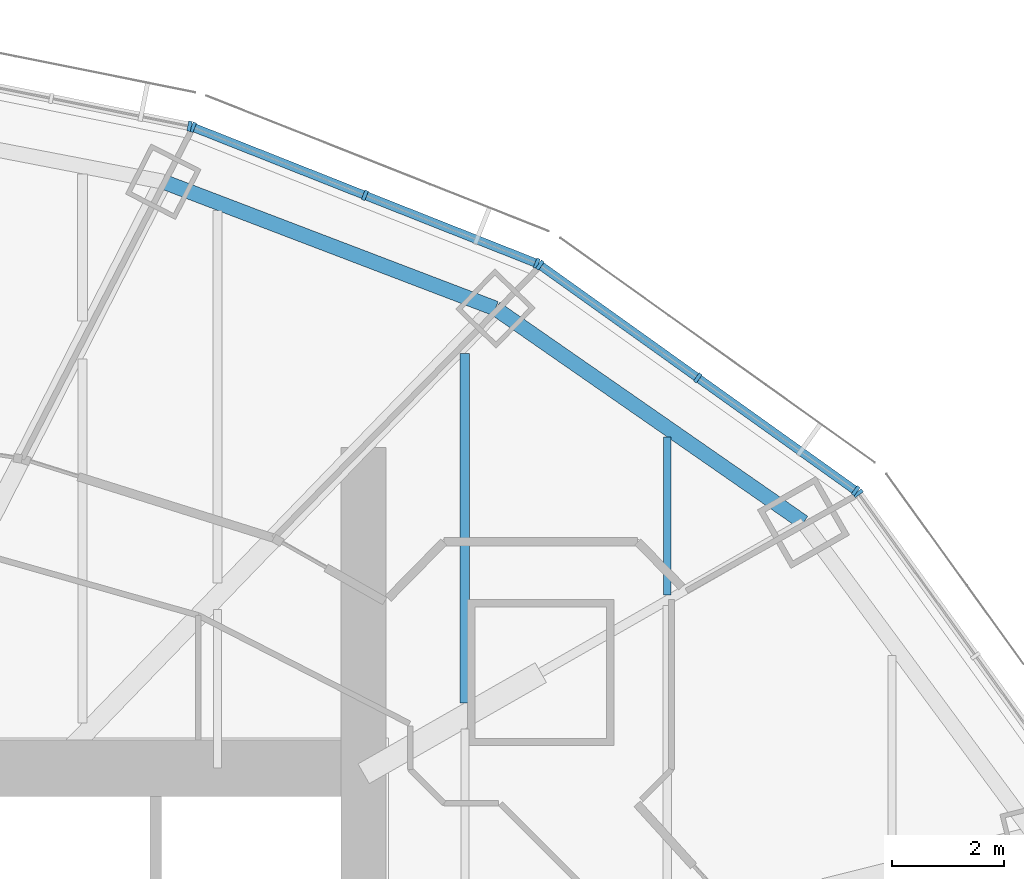
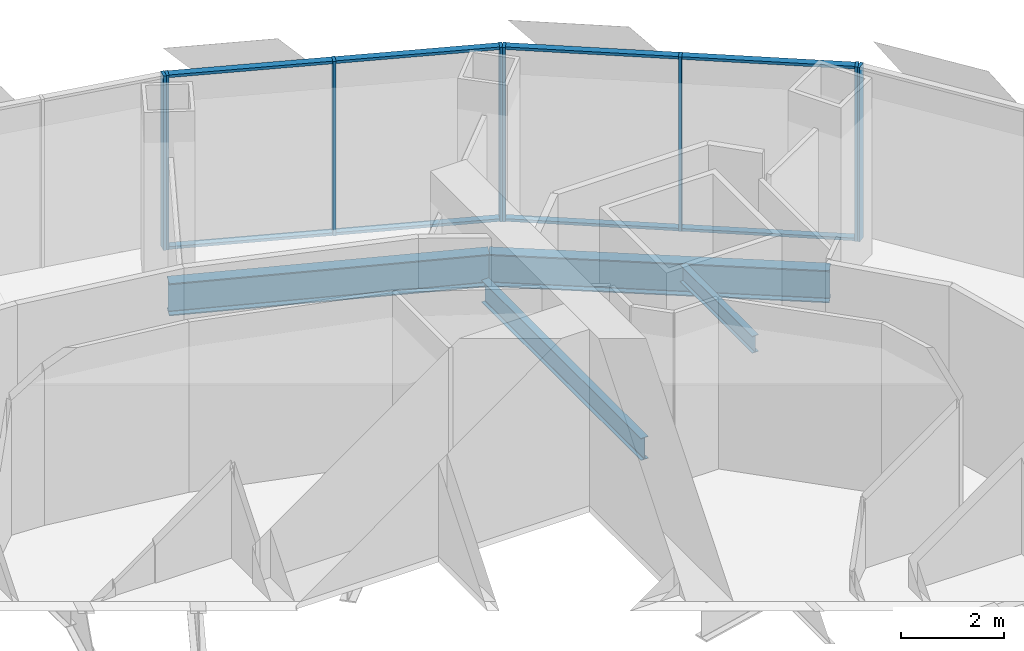
# One storey, part 9 of 18: 16 members, 4 beams, 4 elements without a shape of their own.
"""IFC4 building model written with IfcOpenShell, lengths in metres."""

from ifc_helpers import new_model, si_unit, direction, frame, origin, origin_2d, place, context, subcontext, project, spatial, rectangle, i_section, extrude, material, material_profile, profile_set, type_object, element, aggregate, save


model = new_model("IFC4")

# Units and contexts
model_context = context("Model", 3, precision=1e-05, world=origin(), true_north=direction((0.0, 1.0)))
body_context = subcontext(model_context, "Body", "Model", "MODEL_VIEW")
ifc_project = project(units=[si_unit("LENGTHUNIT", "METRE"), si_unit("AREAUNIT", "SQUARE_METRE"), si_unit("VOLUMEUNIT", "CUBIC_METRE"), si_unit("PLANEANGLEUNIT", "RADIAN"), si_unit("MASSUNIT", "GRAM", prefix="KILO")], contexts=[model_context])

# Site, building, storey
site_placement = place(None, origin())
site = spatial("IfcSite", under=ifc_project, at=site_placement, CompositionType="ELEMENT")
building_placement = place(site_placement, origin())
building = spatial("IfcBuilding", under=site, at=building_placement, Name="Lantaw Convention Tower", CompositionType="ELEMENT")
storey_placement = place(building_placement, frame((0.0, 0.0, 228.39990234375)))
storey = spatial("IfcBuildingStorey", under=building, at=storey_placement, Name="L53", CompositionType="ELEMENT", Elevation=228.39990234375)

# Beams
ifc_material_1 = material(Name="Steel ASTM A992", Category="steel")
ifc_material_profile_1 = material_profile(ifc_material_1, i_section(OverallWidth=0.2666015625, OverallDepth=0.76953125, WebThickness=0.015625, FlangeThickness=0.025390625, FilletRadius=0.0126953125, at=origin_2d()), Name="W30X132")
ifc_profile_set_1 = profile_set([ifc_material_profile_1], Name="Steel ASTM A992")
beam_type_1 = type_object("IfcBeamType", Name="Beam E W30X132", PredefinedType="SPANDREL", material=ifc_profile_set_1)
beam_1_placement = place(storey_placement, frame((20.423095703125, 11.67041015625, -0.53466796875), z_axis=(-0.82135329406, 0.570419815869, 0.0), x_axis=(-0.570419815869, -0.82135329406, 0.0)))
element("IfcBeam", 1, at=beam_1_placement, inside=storey, type_object=beam_type_1, Name="Edge beam 3", PredefinedType="SPANDREL", context=body_context, shape_type="SweptSolid", body=[
    extrude(i_section(OverallWidth=0.2666015625, OverallDepth=0.76953125, WebThickness=0.015625, FlangeThickness=0.025390625, FilletRadius=0.0126953125, at=origin_2d()), origin(), (0.0, 0.0, 1.0), 6.67041015625),
])
beam_2_placement = place(storey_placement, frame((14.9443359375, 15.475341796875, -0.53466796875), z_axis=(-0.934234988, 0.356658081637, 0.0), x_axis=(-0.356658081637, -0.934234988, 0.0)))
element("IfcBeam", 2, at=beam_2_placement, inside=storey, type_object=beam_type_1, Name="Edge beam 4", PredefinedType="SPANDREL", context=body_context, shape_type="SweptSolid", body=[
    extrude(i_section(OverallWidth=0.2666015625, OverallDepth=0.76953125, WebThickness=0.015625, FlangeThickness=0.025390625, FilletRadius=0.0126953125, at=origin_2d()), origin(), (0.0, 0.0, 1.0), 6.32568359375),
])
ifc_material_profile_2 = material_profile(ifc_material_1, i_section(OverallWidth=0.140380859375, OverallDepth=0.40380859375, WebThickness=0.007080078125, FlangeThickness=0.01123046875, FilletRadius=0.01025390625, at=origin_2d()), Name="W16X31")
ifc_profile_set_2 = profile_set([ifc_material_profile_2], Name="Steel ASTM A992")
beam_type_2 = type_object("IfcBeamType", Name="Beam J W16X31", PredefinedType="JOIST", material=ifc_profile_set_2)
beam_3_placement = place(storey_placement, frame((18.0, 10.380859375, -0.351806640625), z_axis=(0.0, 1.0, 0.0), x_axis=(-1.0, 0.0, 0.0)))
element("IfcBeam", 3, at=beam_3_placement, inside=storey, type_object=beam_type_2, Name="Floor joist", PredefinedType="JOIST", context=body_context, shape_type="SweptSolid", body=[
    extrude(i_section(OverallWidth=0.140380859375, OverallDepth=0.40380859375, WebThickness=0.007080078125, FlangeThickness=0.01123046875, FilletRadius=0.01025390625, at=origin_2d()), origin(), (0.0, 0.0, 1.0), 2.81005859375),
])
ifc_material_profile_3 = material_profile(ifc_material_1, i_section(OverallWidth=0.1650390625, OverallDepth=0.52587890625, WebThickness=0.0087890625, FlangeThickness=0.011474609375, FilletRadius=0.0126953125, at=origin_2d()), Name="W21X44")
ifc_profile_set_3 = profile_set([ifc_material_profile_3], Name="Steel ASTM A992")
beam_type_3 = type_object("IfcBeamType", Name="Beam J W21X44", PredefinedType="JOIST", material=ifc_profile_set_3)
beam_4_placement = place(storey_placement, frame((14.39990234375, 8.461181640625, -0.412841796875), z_axis=(0.0, 1.0, 0.0), x_axis=(-1.0, 0.0, 0.0)))
element("IfcBeam", 4, at=beam_4_placement, inside=storey, type_object=beam_type_3, Name="Floor joist", PredefinedType="JOIST", context=body_context, shape_type="SweptSolid", body=[
    extrude(i_section(OverallWidth=0.1650390625, OverallDepth=0.52587890625, WebThickness=0.0087890625, FlangeThickness=0.011474609375, FilletRadius=0.0126953125, at=origin_2d()), origin(), (0.0, 0.0, 1.0), 6.214599609375),
])

# Curtain wall, member
ifc_material_2 = material(Name="Aluminium framed curtain wall", Category="aluminium")
curtain_wall_type = type_object("IfcCurtainWallType", Name="Office curtain wall high rise, pale aluminium", PredefinedType="USERDEFINED", material=ifc_material_2)
curtain_wall_1_placement = place(storey_placement, origin())
curtain_wall_1 = element("IfcCurtainWall", 5, at=curtain_wall_1_placement, inside=storey, type_object=curtain_wall_type, Name="Office curtain wall high rise, pale aluminium L53", ObjectType="UNITISED CURTAIN WALL", PredefinedType="USERDEFINED")
ifc_material_3 = material(Name="Aluminium 6063-T6", Category="aluminium")
ifc_material_profile_4 = material_profile(ifc_material_3, rectangle(XDim=0.179931640625, YDim=0.06494140625, at=origin_2d()), Name="CW-O2 mullion 65x180")
ifc_profile_set_4 = profile_set([ifc_material_profile_4], Name="Aluminium 6063-T6")
member_type_1 = type_object("IfcMemberType", Name="CW-O2 mullion 65x180", PredefinedType="MULLION", material=ifc_profile_set_4)
member_1_placement = place(storey_placement, frame((21.397216796875, 12.189697265625, -0.14990234375), z_axis=(0.0, 0.0, 1.0), x_axis=(-0.810919559405, -0.585157643865, 0.0)))
member_1 = element("IfcMember", 6, at=member_1_placement, type_object=member_type_1, Name="CW-O2 mullion 3", PredefinedType="MULLION", context=body_context, shape_type="SweptSolid", body=[
    extrude(rectangle(XDim=0.179931640625, YDim=0.06494140625, at=origin_2d()), origin(), (0.0, 0.0, 1.0), 4.14990234375),
])
aggregate(curtain_wall_1, [member_1])

# Curtain wall, members
curtain_wall_2_placement = place(storey_placement, origin())
curtain_wall_2 = element("IfcCurtainWall", 7, at=curtain_wall_2_placement, inside=storey, type_object=curtain_wall_type, Name="Office curtain wall high rise, pale aluminium L53", ObjectType="UNITISED CURTAIN WALL", PredefinedType="USERDEFINED")
member_2_placement = place(storey_placement, frame((21.3515625, 12.23486328125, -0.14990234375), z_axis=(0.0, 0.0, 1.0), x_axis=(-0.581323487281, -0.813672540482, 0.0)))
member_2 = element("IfcMember", 8, at=member_2_placement, type_object=member_type_1, Name="CW-O2 mullion 1", PredefinedType="MULLION", context=body_context, shape_type="SweptSolid", body=[
    extrude(rectangle(XDim=0.179931640625, YDim=0.06494140625, at=origin_2d()), origin(), (0.0, 0.0, 1.0), 4.14990234375),
])
member_3_placement = place(storey_placement, frame((18.543212890625, 14.241455078125, -0.14990234375), z_axis=(0.0, 0.0, 1.0), x_axis=(-0.581323487281, -0.813672540482, 0.0)))
member_3 = element("IfcMember", 9, at=member_3_placement, type_object=member_type_1, Name="CW-O2 mullion 2", PredefinedType="MULLION", context=body_context, shape_type="SweptSolid", body=[
    extrude(rectangle(XDim=0.179931640625, YDim=0.06494140625, at=origin_2d()), origin(), (0.0, 0.0, 1.0), 4.14990234375),
])
member_4_placement = place(storey_placement, frame((15.73486328125, 16.247802734375, -0.14990234375), z_axis=(0.0, 0.0, 1.0), x_axis=(-0.581323487281, -0.813672540482, 0.0)))
member_4 = element("IfcMember", 10, at=member_4_placement, type_object=member_type_1, Name="CW-O2 mullion 3", PredefinedType="MULLION", context=body_context, shape_type="SweptSolid", body=[
    extrude(rectangle(XDim=0.179931640625, YDim=0.06494140625, at=origin_2d()), origin(), (0.0, 0.0, 1.0), 4.14990234375),
])

curtain_wall_3_placement = place(storey_placement, origin())
curtain_wall_3 = element("IfcCurtainWall", 11, at=curtain_wall_3_placement, inside=storey, type_object=curtain_wall_type, Name="Office curtain wall high rise, pale aluminium L53", ObjectType="UNITISED CURTAIN WALL", PredefinedType="USERDEFINED")
member_5_placement = place(storey_placement, frame((15.67822265625, 16.278564453125, -0.14990234375), z_axis=(0.0, 0.0, 1.0), x_axis=(-0.368162315252, -0.929761533743, 0.0)))
member_5 = element("IfcMember", 12, at=member_5_placement, type_object=member_type_1, Name="CW-O2 mullion 1", PredefinedType="MULLION", context=body_context, shape_type="SweptSolid", body=[
    extrude(rectangle(XDim=0.179931640625, YDim=0.06494140625, at=origin_2d()), origin(), (0.0, 0.0, 1.0), 4.14990234375),
])
member_6_placement = place(storey_placement, frame((12.621337890625, 17.4892578125, -0.14990234375), z_axis=(0.0, 0.0, 1.0), x_axis=(-0.368162315252, -0.929761533743, 0.0)))
member_6 = element("IfcMember", 13, at=member_6_placement, type_object=member_type_1, Name="CW-O2 mullion 2", PredefinedType="MULLION", context=body_context, shape_type="SweptSolid", body=[
    extrude(rectangle(XDim=0.179931640625, YDim=0.06494140625, at=origin_2d()), origin(), (0.0, 0.0, 1.0), 4.14990234375),
])
member_7_placement = place(storey_placement, frame((9.564208984375, 18.69970703125, -0.14990234375), z_axis=(0.0, 0.0, 1.0), x_axis=(-0.368162315252, -0.929761533743, 0.0)))
member_7 = element("IfcMember", 14, at=member_7_placement, type_object=member_type_1, Name="CW-O2 mullion 3", PredefinedType="MULLION", context=body_context, shape_type="SweptSolid", body=[
    extrude(rectangle(XDim=0.179931640625, YDim=0.06494140625, at=origin_2d()), origin(), (0.0, 0.0, 1.0), 4.14990234375),
])

# Curtain wall, member
curtain_wall_4_placement = place(storey_placement, origin())
curtain_wall_4 = element("IfcCurtainWall", 15, at=curtain_wall_4_placement, inside=storey, type_object=curtain_wall_type, Name="Office curtain wall high rise, pale aluminium L53", ObjectType="UNITISED CURTAIN WALL", PredefinedType="USERDEFINED")
member_8_placement = place(storey_placement, frame((9.502197265625, 18.718017578125, -0.14990234375), z_axis=(0.0, 0.0, 1.0), x_axis=(-0.197183095987, -0.980366679695, 0.0)))
member_8 = element("IfcMember", 16, at=member_8_placement, type_object=member_type_1, Name="CW-O2 mullion 1", PredefinedType="MULLION", context=body_context, shape_type="SweptSolid", body=[
    extrude(rectangle(XDim=0.179931640625, YDim=0.06494140625, at=origin_2d()), origin(), (0.0, 0.0, 1.0), 4.14990234375),
])
aggregate(curtain_wall_4, [member_8])

# Member
ifc_material_profile_5 = material_profile(ifc_material_3, rectangle(XDim=0.14990234375, YDim=0.06494140625, at=origin_2d()), Name="CW-O2 transom 65x150")
ifc_profile_set_5 = profile_set([ifc_material_profile_5], Name="Aluminium 6063-T6")
member_type_2 = type_object("IfcMemberType", Name="CW-O2 transom 65x150", PredefinedType="USERDEFINED", material=ifc_profile_set_5)
member_9_placement = place(storey_placement, frame((21.3251953125, 12.25390625, -0.117431640625), z_axis=(-0.813679882592, 0.581313210468, 0.0), x_axis=(-0.581313210468, -0.813679882592, 0.0)))
member_9 = element("IfcMember", 17, at=member_9_placement, type_object=member_type_2, Name="CW-O2 transom 1.1", ObjectType="TRANSOM", PredefinedType="USERDEFINED", context=body_context, shape_type="SweptSolid", body=[
    extrude(rectangle(XDim=0.14990234375, YDim=0.06494140625, at=origin_2d()), origin(), (0.0, 0.0, 1.0), 3.38623046875),
])

member_10_placement = place(storey_placement, frame((21.3251953125, 12.25390625, 3.967529296875), z_axis=(-0.813679882592, 0.581313210468, 0.0), x_axis=(-0.581313210468, -0.813679882592, 0.0)))
member_10 = element("IfcMember", 18, at=member_10_placement, type_object=member_type_2, Name="CW-O2 transom 1.2", ObjectType="TRANSOM", PredefinedType="USERDEFINED", context=body_context, shape_type="SweptSolid", body=[
    extrude(rectangle(XDim=0.14990234375, YDim=0.06494140625, at=origin_2d()), origin(), (0.0, 0.0, 1.0), 3.38623046875),
])

member_11_placement = place(storey_placement, frame((18.516845703125, 14.26025390625, -0.117431640625), z_axis=(-0.813645780821, 0.581360940683, 0.0), x_axis=(-0.581360940683, -0.813645780821, 0.0)))
member_11 = element("IfcMember", 19, at=member_11_placement, type_object=member_type_2, Name="CW-O2 transom 2.1", ObjectType="TRANSOM", PredefinedType="USERDEFINED", context=body_context, shape_type="SweptSolid", body=[
    extrude(rectangle(XDim=0.14990234375, YDim=0.06494140625, at=origin_2d()), origin(), (0.0, 0.0, 1.0), 3.386474609375),
])

member_12_placement = place(storey_placement, frame((18.516845703125, 14.26025390625, 3.967529296875), z_axis=(-0.813645780821, 0.581360940683, 0.0), x_axis=(-0.581360940683, -0.813645780821, 0.0)))
member_12 = element("IfcMember", 20, at=member_12_placement, type_object=member_type_2, Name="CW-O2 transom 2.2", ObjectType="TRANSOM", PredefinedType="USERDEFINED", context=body_context, shape_type="SweptSolid", body=[
    extrude(rectangle(XDim=0.14990234375, YDim=0.06494140625, at=origin_2d()), origin(), (0.0, 0.0, 1.0), 3.386474609375),
])

aggregate(curtain_wall_2, [member_2, member_3, member_4, member_9, member_10, member_11, member_12])

member_13_placement = place(storey_placement, frame((15.648193359375, 16.29052734375, -0.117431640625), z_axis=(-0.929740712354, 0.368214893495, 0.0), x_axis=(-0.368214893495, -0.929740712354, 0.0)))
member_13 = element("IfcMember", 21, at=member_13_placement, type_object=member_type_2, Name="CW-O2 transom 1.1", ObjectType="TRANSOM", PredefinedType="USERDEFINED", context=body_context, shape_type="SweptSolid", body=[
    extrude(rectangle(XDim=0.14990234375, YDim=0.06494140625, at=origin_2d()), origin(), (0.0, 0.0, 1.0), 3.22314453125),
])

member_14_placement = place(storey_placement, frame((15.648193359375, 16.29052734375, 3.967529296875), z_axis=(-0.929740712354, 0.368214893495, 0.0), x_axis=(-0.368214893495, -0.929740712354, 0.0)))
member_14 = element("IfcMember", 22, at=member_14_placement, type_object=member_type_2, Name="CW-O2 transom 1.2", ObjectType="TRANSOM", PredefinedType="USERDEFINED", context=body_context, shape_type="SweptSolid", body=[
    extrude(rectangle(XDim=0.14990234375, YDim=0.06494140625, at=origin_2d()), origin(), (0.0, 0.0, 1.0), 3.22314453125),
])

member_15_placement = place(storey_placement, frame((12.591064453125, 17.501220703125, -0.117431640625), z_axis=(-0.929766642946, 0.368149412149, 0.0), x_axis=(-0.368149412149, -0.929766642946, 0.0)))
member_15 = element("IfcMember", 23, at=member_15_placement, type_object=member_type_2, Name="CW-O2 transom 2.1", ObjectType="TRANSOM", PredefinedType="USERDEFINED", context=body_context, shape_type="SweptSolid", body=[
    extrude(rectangle(XDim=0.14990234375, YDim=0.06494140625, at=origin_2d()), origin(), (0.0, 0.0, 1.0), 3.222900390625),
])

member_16_placement = place(storey_placement, frame((12.591064453125, 17.501220703125, 3.967529296875), z_axis=(-0.929766642946, 0.368149412149, 0.0), x_axis=(-0.368149412149, -0.929766642946, 0.0)))
member_16 = element("IfcMember", 24, at=member_16_placement, type_object=member_type_2, Name="CW-O2 transom 2.2", ObjectType="TRANSOM", PredefinedType="USERDEFINED", context=body_context, shape_type="SweptSolid", body=[
    extrude(rectangle(XDim=0.14990234375, YDim=0.06494140625, at=origin_2d()), origin(), (0.0, 0.0, 1.0), 3.222900390625),
])

aggregate(curtain_wall_3, [member_5, member_6, member_7, member_13, member_14, member_15, member_16])

save(model, "model.ifc")
